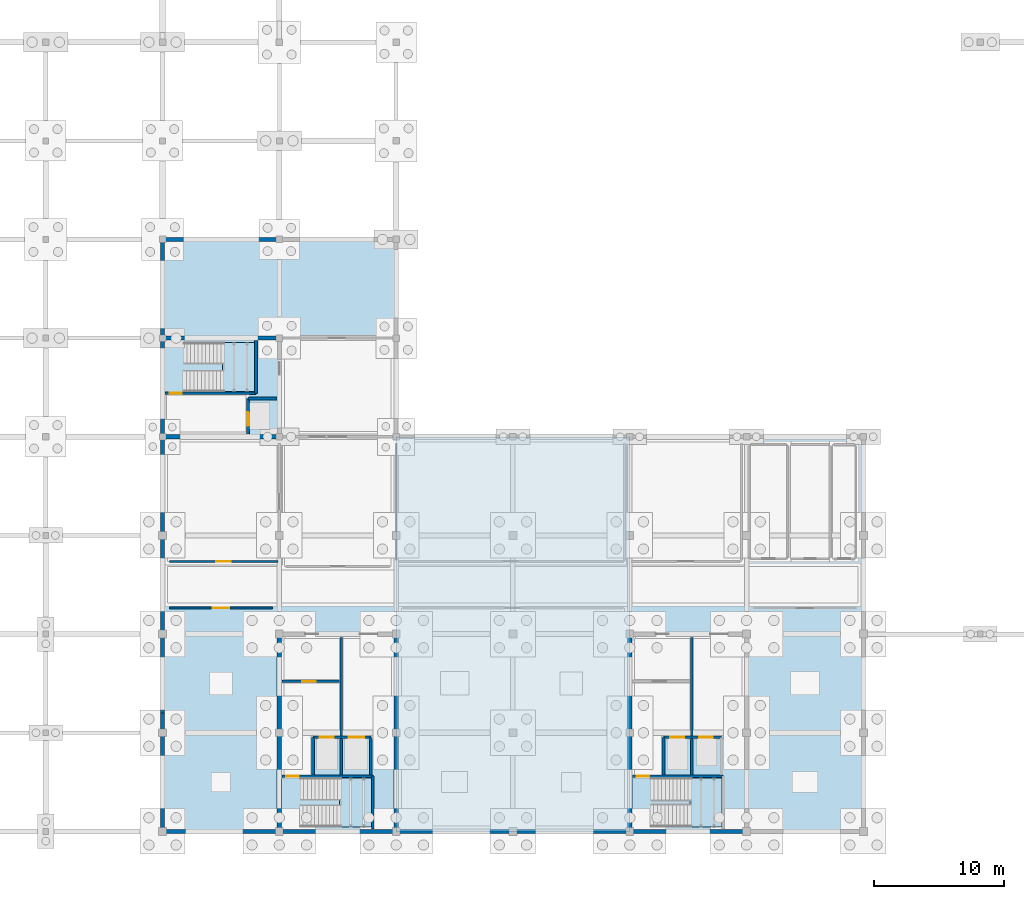
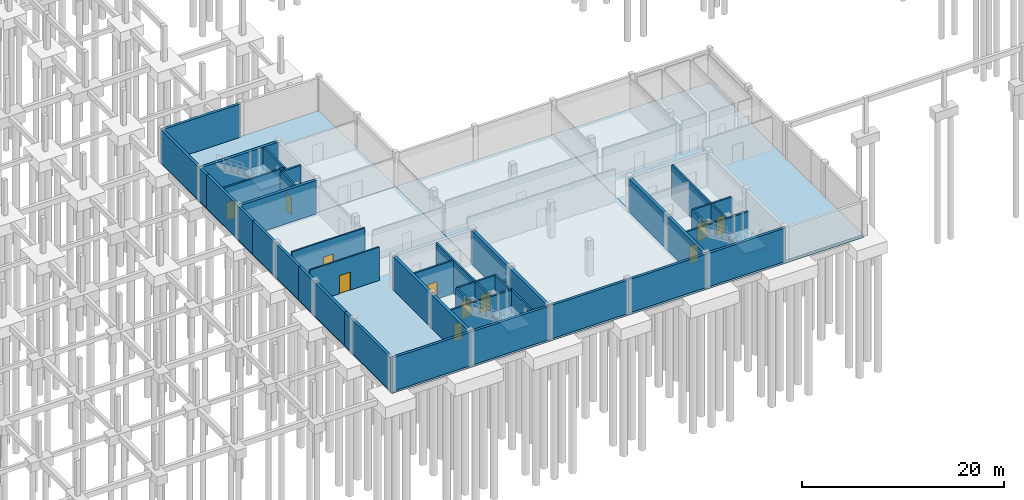
# One storey, part 23 of 28: 33 walls, 11 doors, 7 slabs, 11 openings, 3 elements without a shape of their own.
"""IFC4 building model written with IfcOpenShell, lengths in metres."""

from ifc_helpers import new_model, si_unit, direction, frame, frame_2d, origin, place, context, subcontext, project, spatial, polyline, rectangle, outline, extrude, material, layer, layer_set, type_object, element, fill, aggregate, save


model = new_model("IFC4")

# Units and contexts
model_context = context("Model", 3, precision=1e-05, world=origin(), true_north=direction((0.0, 1.0)))
body_context = subcontext(model_context, "Body", "Model", "MODEL_VIEW")
ifc_project = project(units=[si_unit("LENGTHUNIT", "METRE"), si_unit("AREAUNIT", "SQUARE_METRE"), si_unit("VOLUMEUNIT", "CUBIC_METRE"), si_unit("PLANEANGLEUNIT", "RADIAN"), si_unit("MASSUNIT", "GRAM", prefix="KILO")], contexts=[model_context])

# Site, building, storey
site_placement = place(None, origin())
site = spatial("IfcSite", under=ifc_project, at=site_placement, CompositionType="ELEMENT")
building_placement = place(site_placement, origin())
building = spatial("IfcBuilding", under=site, at=building_placement, Name="Caisbarro Railhouse Central Library", CompositionType="ELEMENT")
storey_placement = place(building_placement, frame((0.0, 0.0, -4.320068359375)))
storey = spatial("IfcBuildingStorey", under=building, at=storey_placement, Name="B01", CompositionType="ELEMENT", Elevation=-4.320068359375)

# Slabs
ifc_material_1 = material(Name="Concrete C35", Category="concrete")
ifc_layer_1 = layer(ifc_material_1, 0.300048828125, Name="Concrete C35")
ifc_layer_set_1 = layer_set([ifc_layer_1], Name="Concrete C35")
slab_type_1 = type_object("IfcSlabType", Name="SLB-BS30", PredefinedType="BASESLAB", material=ifc_layer_set_1)
slab_1_placement = place(storey_placement, frame((0.0, 0.0, -0.300048828125)))
element("IfcSlab", 1, at=slab_1_placement, inside=storey, type_object=slab_type_1, Name="SB30 structural slab B01 V1.1", PredefinedType="BASESLAB", context=body_context, shape_type="SweptSolid", body=[
    extrude(outline(polyline([(54.0, 30.39990234375), (72.0, 30.39990234375), (72.0, 45.60009765625), (54.0, 45.60009765625), (54.0, 30.39990234375)])), origin(), (0.0, 0.0, 1.0), 0.300048828125),
])
ifc_layer_2 = layer(ifc_material_1, 0.35009765625, Name="Concrete C35")
ifc_layer_set_2 = layer_set([ifc_layer_2], Name="Concrete C35")
slab_type_2 = type_object("IfcSlabType", Name="SLB-BS35", PredefinedType="BASESLAB", material=ifc_layer_set_2)
slab_2_placement = place(storey_placement, frame((0.0, 0.0, -0.349853515625)))
element("IfcSlab", 2, at=slab_2_placement, inside=storey, type_object=slab_type_2, Name="SB35 structural slab B01 V5.1", PredefinedType="BASESLAB", context=body_context, shape_type="SweptSolid", body=[
    extrude(outline(polyline([(54.0, 0.0), (72.0, 0.0), (72.0, 30.39990234375), (54.0, 30.39990234375), (54.0, 0.0)])), origin(), (0.0, 0.0, 1.0), 0.349853515625),
])
slab_3_placement = place(storey_placement, frame((0.0, 0.0, -0.349853515625)))
element("IfcSlab", 3, at=slab_3_placement, inside=storey, type_object=slab_type_2, Name="SB35 structural slab B01 V5.2", PredefinedType="BASESLAB", context=body_context, shape_type="SweptSolid", body=[
    extrude(outline(polyline([(72.0, 0.0), (90.0, 0.0), (90.0, 30.39990234375), (72.0, 30.39990234375), (72.0, 0.0)])), origin(), (0.0, 0.0, 1.0), 0.349853515625),
])
slab_4_placement = place(storey_placement, frame((0.0, 0.0, -0.349853515625)))
element("IfcSlab", 4, at=slab_4_placement, inside=storey, type_object=slab_type_2, Name="SB35 structural slab B01 V5.3", PredefinedType="BASESLAB", context=body_context, shape_type="SweptSolid", body=[
    extrude(outline(polyline([(90.0, 0.0), (108.0, 0.0), (108.0, 30.39990234375), (90.0, 30.39990234375), (90.0, 0.0)])), origin(), (0.0, 0.0, 1.0), 0.349853515625),
])

# Stair, slab
stair_type_1 = type_object("IfcStairType", Name="STR-ST43B", PredefinedType="HALF_TURN_STAIR", material=ifc_material_1)
stair_1_placement = place(storey_placement, origin())
stair_1 = element("IfcStair", 5, at=stair_1_placement, inside=storey, type_object=stair_type_1, Name="Protected Stair ST-01 (B01)", PredefinedType="HALF_TURN_STAIR")
ifc_layer_3 = layer(ifc_material_1, 0.18994140625, Name="Concrete C35")
ifc_layer_set_3 = layer_set([ifc_layer_3], Name="Concrete C35")
slab_type_3 = type_object("IfcSlabType", Name="SLB-LND19", PredefinedType="LANDING", material=ifc_layer_set_3)
slab_5_placement = place(storey_placement, frame((0.0, 0.0, 1.969970703125)))
slab_5 = element("IfcSlab", 6, at=slab_5_placement, type_object=slab_type_3, Name="ST-01 landing 1", PredefinedType="LANDING", context=body_context, shape_type="SweptSolid", body=[
    extrude(outline(polyline([(67.6201171875, 0.340087890625), (70.1201171875, 0.340087890625), (70.1201171875, 4.110107421875), (67.6201171875, 4.110107421875), (67.6201171875, 0.340087890625)])), origin(), (0.0, 0.0, 1.0), 0.190185546875),
])
aggregate(stair_1, [slab_5])

stair_type_2 = type_object("IfcStairType", Name="STR-ST43C", PredefinedType="HALF_TURN_STAIR", material=ifc_material_1)
stair_2_placement = place(storey_placement, origin())
stair_2 = element("IfcStair", 7, at=stair_2_placement, inside=storey, type_object=stair_type_2, Name="Protected Stair ST-02 (B01)", PredefinedType="HALF_TURN_STAIR")
slab_6_placement = place(storey_placement, frame((0.0, 0.0, 1.969970703125)))
slab_6 = element("IfcSlab", 8, at=slab_6_placement, type_object=slab_type_3, Name="ST-02 landing 1", PredefinedType="LANDING", context=body_context, shape_type="SweptSolid", body=[
    extrude(outline(polyline([(94.6201171875, 0.340087890625), (97.1201171875, 0.340087890625), (97.1201171875, 4.110107421875), (94.6201171875, 4.110107421875), (94.6201171875, 0.340087890625)])), origin(), (0.0, 0.0, 1.0), 0.190185546875),
])
aggregate(stair_2, [slab_6])

stair_type_3 = type_object("IfcStairType", Name="STR-ST43A", PredefinedType="HALF_TURN_STAIR", material=ifc_material_1)
stair_3_placement = place(storey_placement, origin())
stair_3 = element("IfcStair", 9, at=stair_3_placement, inside=storey, type_object=stair_type_3, Name="Protected Stair ST-04 (B01)", PredefinedType="HALF_TURN_STAIR")
slab_7_placement = place(storey_placement, frame((0.0, 0.0, 1.969970703125)))
slab_7 = element("IfcSlab", 10, at=slab_7_placement, type_object=slab_type_3, Name="ST-04 landing 1", PredefinedType="LANDING", context=body_context, shape_type="SweptSolid", body=[
    extrude(outline(polyline([(58.6201171875, 33.889892578125), (61.1201171875, 33.889892578125), (61.1201171875, 37.659912109375), (58.6201171875, 37.659912109375), (58.6201171875, 33.889892578125)])), origin(), (0.0, 0.0, 1.0), 0.190185546875),
])
aggregate(stair_3, [slab_7])

# Walls
ifc_material_2 = material(Name="Concrete C40", Category="concrete")
ifc_layer_4 = layer(ifc_material_2, 0.320068359375, Name="Concrete C40")
ifc_layer_set_4 = layer_set([ifc_layer_4], Name="Concrete C40")
wall_type_1 = type_object("IfcWallType", Name="WAL-CW32", PredefinedType="SHEAR", material=ifc_layer_set_4)
for number, where, z_axis, x_axis, name in (
    (11, (54.159912109375, 30.39990234375, 0.0), (0.0, 0.0, 1.0), (1.0, 0.0, 0.0), "CW32 RC core shear wall B01 #55"),
    (12, (54.159912109375, 38.0, 0.0), (0.0, 0.0, 1.0), (1.0, 0.0, 0.0), "CW32 RC core shear wall B01 #56"),
):
    element("IfcWall", number, at=place(storey_placement, frame(where, z_axis=z_axis, x_axis=x_axis)), inside=storey, type_object=wall_type_1, Name=name, PredefinedType="SHEAR", context=body_context, shape_type="SweptSolid", body=[
        extrude(rectangle(XDim=8.68017578125, YDim=0.320068359375, at=frame_2d((4.340087890625, 0.0))), origin(), (0.0, 0.0, 1.0), 4.0400390625),
    ])
ifc_layer_5 = layer(ifc_material_2, 0.35009765625, Name="Concrete C40")
ifc_layer_set_5 = layer_set([ifc_layer_5], Name="Concrete C40")
wall_type_2 = type_object("IfcWallType", Name="WAL-CW35", PredefinedType="SHEAR", material=ifc_layer_set_5)
for number, where, z_axis, x_axis, name in (
    (13, (63.0, 0.159912109375, 0.0), (0.0, 0.0, 1.0), (0.0, 1.0, 0.0), "CW35 RC core shear wall B01 #2"),
    (14, (72.0, 0.159912109375, 0.0), (0.0, 0.0, 1.0), (0.0, 1.0, 0.0), "CW35 RC core shear wall B01 #3"),
    (15, (90.0, 0.159912109375, 0.0), (0.0, 0.0, 1.0), (0.0, 1.0, 0.0), "CW35 RC core shear wall B01 #21"),
):
    element("IfcWall", number, at=place(storey_placement, frame(where, z_axis=z_axis, x_axis=x_axis)), inside=storey, type_object=wall_type_2, Name=name, PredefinedType="SHEAR", context=body_context, shape_type="SweptSolid", body=[
        extrude(rectangle(XDim=14.880126953125, YDim=0.35009765625, at=frame_2d((7.43994140625, 0.0))), origin(), (0.0, 0.0, 1.0), 4.0400390625),
    ])
ifc_layer_6 = layer(ifc_material_2, 0.300048828125, Name="Concrete C40")
ifc_layer_set_6 = layer_set([ifc_layer_6], Name="Concrete C40")
wall_type_3 = type_object("IfcWallType", Name="WAL-EW30", PredefinedType="SOLIDWALL", material=ifc_layer_set_6)
for number, where, z_axis, x_axis, name in (
    (16, (54.0, 0.0, 0.0), (0.0, 0.0, 1.0), (1.0, 0.0, 0.0), "EW30 exterior wall B01 #1"),
    (17, (63.0, 0.0, 0.0), (0.0, 0.0, 1.0), (1.0, 0.0, 0.0), "EW30 exterior wall B01 #2"),
    (18, (72.0, 0.0, 0.0), (0.0, 0.0, 1.0), (1.0, 0.0, 0.0), "EW30 exterior wall B01 #3"),
    (19, (81.0, 0.0, 0.0), (0.0, 0.0, 1.0), (1.0, 0.0, 0.0), "EW30 exterior wall B01 #4"),
    (20, (90.0, 0.0, 0.0), (0.0, 0.0, 1.0), (1.0, 0.0, 0.0), "EW30 exterior wall B01 #5"),
    (21, (63.0, 45.60009765625, 0.0), (0.0, 0.0, 1.0), (-1.0, 0.0, 0.0), "EW30 exterior wall B01 #17"),
):
    element("IfcWall", number, at=place(storey_placement, frame(where, z_axis=z_axis, x_axis=x_axis)), inside=storey, type_object=wall_type_3, Name=name, PredefinedType="SOLIDWALL", context=body_context, shape_type="SweptSolid", body=[
        extrude(rectangle(XDim=9.0, YDim=0.300048828125, at=frame_2d((4.5, 0.0))), origin(), (0.0, 0.0, 1.0), 4.0400390625),
    ])
wall_1_placement = place(storey_placement, frame((54.0, 45.60009765625, 0.0), z_axis=(0.0, 0.0, 1.0), x_axis=(0.0, -1.0, 0.0)))
element("IfcWall", 22, at=wall_1_placement, inside=storey, type_object=wall_type_3, Name="EW30 exterior wall B01 #18", PredefinedType="SOLIDWALL", context=body_context, shape_type="SweptSolid", body=[
    extrude(rectangle(XDim=9.1201171875, YDim=0.300048828125, at=frame_2d((4.56005859375, 0.0))), origin(), (0.0, 0.0, 1.0), 4.0400390625),
])
wall_2_placement = place(storey_placement, frame((54.0, 36.47998046875, 0.0), z_axis=(0.0, 0.0, 1.0), x_axis=(0.0, -1.0, 0.0)))
element("IfcWall", 23, at=wall_2_placement, inside=storey, type_object=wall_type_3, Name="EW30 exterior wall B01 #19", PredefinedType="SOLIDWALL", context=body_context, shape_type="SweptSolid", body=[
    extrude(rectangle(XDim=9.119873046875, YDim=0.300048828125, at=frame_2d((4.56005859375, 0.0))), origin(), (0.0, 0.0, 1.0), 4.0400390625),
])
wall_3_placement = place(storey_placement, frame((54.0, 27.360107421875, 0.0), z_axis=(0.0, 0.0, 1.0), x_axis=(0.0, -1.0, 0.0)))
element("IfcWall", 24, at=wall_3_placement, inside=storey, type_object=wall_type_3, Name="EW30 exterior wall B01 #20", PredefinedType="SOLIDWALL", context=body_context, shape_type="SweptSolid", body=[
    extrude(rectangle(XDim=9.1201171875, YDim=0.300048828125, at=frame_2d((4.56005859375, 0.0))), origin(), (0.0, 0.0, 1.0), 4.0400390625),
])
wall_4_placement = place(storey_placement, frame((54.0, 18.239990234375, 0.0), z_axis=(0.0, 0.0, 1.0), x_axis=(0.0, -1.0, 0.0)))
element("IfcWall", 25, at=wall_4_placement, inside=storey, type_object=wall_type_3, Name="EW30 exterior wall B01 #21", PredefinedType="SOLIDWALL", context=body_context, shape_type="SweptSolid", body=[
    extrude(rectangle(XDim=9.119873046875, YDim=0.300048828125, at=frame_2d((4.56005859375, 0.0))), origin(), (0.0, 0.0, 1.0), 4.0400390625),
])
wall_5_placement = place(storey_placement, frame((54.0, 9.1201171875, 0.0), z_axis=(0.0, 0.0, 1.0), x_axis=(0.0, -1.0, 0.0)))
element("IfcWall", 26, at=wall_5_placement, inside=storey, type_object=wall_type_3, Name="EW30 exterior wall B01 #22", PredefinedType="SOLIDWALL", context=body_context, shape_type="SweptSolid", body=[
    extrude(rectangle(XDim=9.1201171875, YDim=0.300048828125, at=frame_2d((4.56005859375, 0.0))), origin(), (0.0, 0.0, 1.0), 4.0400390625),
])

# Wall, opening, door
ifc_material_3 = material(Name="Plastered cellular concrete masonry", Category="masonry")
ifc_layer_7 = layer(ifc_material_3, 0.169921875, Name="Plastered cellular concrete masonry")
ifc_layer_set_7 = layer_set([ifc_layer_7], Name="Plastered cellular concrete masonry")
wall_type_4 = type_object("IfcWallType", Name="WAL-IW17", PredefinedType="PARTITIONING", material=ifc_layer_set_7)
wall_6_placement = place(storey_placement, frame((54.52001953125, 17.199951171875, 0.0), z_axis=(0.0, 0.0, 1.0), x_axis=(1.0, 0.0, 0.0)))
wall_6 = element("IfcWall", 27, at=wall_6_placement, inside=storey, type_object=wall_type_4, Name="IW17 partition wall B01 #237", PredefinedType="PARTITIONING", context=body_context, shape_type="SweptSolid", body=[
    extrude(rectangle(XDim=7.9599609375, YDim=0.169921875, at=frame_2d((3.97998046875, 0.0))), origin(), (0.0, 0.0, 1.0), 4.0400390625),
])
opening_1_placement = place(wall_6_placement, frame((3.35498046875, 0.0, 0.0)))
opening_1 = element("IfcOpeningElement", 28, at=opening_1_placement, cuts=wall_6, Name="Opening FD04", PredefinedType="OPENING", context=body_context, shape_type="SweptSolid", body=[
    extrude(rectangle(XDim=1.25, YDim=2.179931640625, at=frame_2d((0.625, 1.08984375))), frame((0.0, 0.094970703125, 0.0), z_axis=(0.0, -1.0, 0.0), x_axis=(1.0, 0.0, 0.0)), (0.0, 0.0, 1.0), 0.18994140625),
])
ifc_material_4 = material(Name="Fire-rated painted galvanised steel", Category="steel")
door_type_1 = type_object("IfcDoorType", Name="DR-FD04", OperationType="NOTDEFINED", PredefinedType="DOOR", material=ifc_material_4)
door_1_placement = place(opening_1_placement, origin())
door_1 = element("IfcDoor", 29, at=door_1_placement, inside=storey, type_object=door_type_1, Name="Chiller and Pump Plant Room Door FD04 B01-161", OperationType="SINGLE_SWING_LEFT", OverallHeight=2.179931640625, OverallWidth=1.25, PredefinedType="DOOR", context=body_context, shape_type="SweptSolid", body=[
    extrude(rectangle(XDim=1.25, YDim=2.179931640625, at=frame_2d((0.625, 1.08984375))), frame((0.0, 0.02490234375, 0.0), z_axis=(0.0, -1.0, 0.0), x_axis=(1.0, 0.0, 0.0)), (0.0, 0.0, 1.0), 0.050048828125),
])
fill(opening_1, door_1)

wall_7_placement = place(storey_placement, frame((54.52001953125, 20.800048828125, 0.0), z_axis=(0.0, 0.0, 1.0), x_axis=(1.0, 0.0, 0.0)))
wall_7 = element("IfcWall", 30, at=wall_7_placement, inside=storey, type_object=wall_type_4, Name="IW17 partition wall B01 #241", PredefinedType="PARTITIONING", context=body_context, shape_type="SweptSolid", body=[
    extrude(rectangle(XDim=8.35986328125, YDim=0.169921875, at=frame_2d((4.179931640625, 0.0))), origin(), (0.0, 0.0, 1.0), 4.0400390625),
])
opening_2_placement = place(wall_7_placement, frame((3.60498046875, 0.0, 0.0)))
opening_2 = element("IfcOpeningElement", 31, at=opening_2_placement, cuts=wall_7, Name="Opening FD03", PredefinedType="OPENING", context=body_context, shape_type="SweptSolid", body=[
    extrude(rectangle(XDim=1.14990234375, YDim=2.14990234375, at=frame_2d((0.574951171875, 1.074951171875))), frame((0.0, 0.094970703125, 0.0), z_axis=(0.0, -1.0, 0.0), x_axis=(1.0, 0.0, 0.0)), (0.0, 0.0, 1.0), 0.18994140625),
])
door_type_2 = type_object("IfcDoorType", Name="DR-FD03", OperationType="NOTDEFINED", PredefinedType="DOOR", material=ifc_material_4)
door_2_placement = place(opening_2_placement, origin())
door_2 = element("IfcDoor", 32, at=door_2_placement, inside=storey, type_object=door_type_2, Name="Archive Service Corridor Door FD03 B01-170", OperationType="SINGLE_SWING_RIGHT", OverallHeight=2.14990234375, OverallWidth=1.14990234375, PredefinedType="DOOR", context=body_context, shape_type="SweptSolid", body=[
    extrude(rectangle(XDim=1.14990234375, YDim=2.14990234375, at=frame_2d((0.574951171875, 1.074951171875))), frame((0.0, 0.02490234375, 0.0), z_axis=(0.0, -1.0, 0.0), x_axis=(1.0, 0.0, 0.0)), (0.0, 0.0, 1.0), 0.050048828125),
])
fill(opening_2, door_2)

ifc_layer_8 = layer(ifc_material_3, 0.18994140625, Name="Plastered cellular concrete masonry")
ifc_layer_set_8 = layer_set([ifc_layer_8], Name="Plastered cellular concrete masonry")
wall_type_5 = type_object("IfcWallType", Name="WAL-SW19", PredefinedType="SOLIDWALL", material=ifc_layer_set_8)
wall_8_placement = place(storey_placement, frame((63.199951171875, 11.550048828125, 0.0), z_axis=(0.0, 0.0, 1.0), x_axis=(1.0, 0.0, 0.0)))
wall_8 = element("IfcWall", 33, at=wall_8_placement, inside=storey, type_object=wall_type_5, Name="SW19 partition wall B01 #7", PredefinedType="SOLIDWALL", context=body_context, shape_type="SweptSolid", body=[
    extrude(rectangle(XDim=4.449951171875, YDim=0.18994140625, at=frame_2d((2.22509765625, 0.0))), origin(), (0.0, 0.0, 1.0), 4.0400390625),
])
opening_3_placement = place(wall_8_placement, frame((1.550048828125, 0.0, 0.0)))
opening_3 = element("IfcOpeningElement", 34, at=opening_3_placement, cuts=wall_8, Name="Opening FD02", PredefinedType="OPENING", context=body_context, shape_type="SweptSolid", body=[
    extrude(rectangle(XDim=1.050048828125, YDim=2.1201171875, at=frame_2d((0.52490234375, 1.06005859375))), frame((0.0, 0.10498046875, 0.0), z_axis=(0.0, -1.0, 0.0), x_axis=(1.0, 0.0, 0.0)), (0.0, 0.0, 1.0), 0.2099609375),
])
door_type_3 = type_object("IfcDoorType", Name="DR-FD02", OperationType="NOTDEFINED", PredefinedType="DOOR", material=ifc_material_4)
door_3_placement = place(opening_3_placement, origin())
door_3 = element("IfcDoor", 35, at=door_3_placement, inside=storey, type_object=door_type_3, Name="Firefighting Lobby K1 Door FD02 B01-004", OperationType="SINGLE_SWING_RIGHT", OverallHeight=2.1201171875, OverallWidth=1.050048828125, PredefinedType="DOOR", context=body_context, shape_type="SweptSolid", body=[
    extrude(rectangle(XDim=1.050048828125, YDim=2.1201171875, at=frame_2d((0.52490234375, 1.06005859375))), frame((0.0, 0.02490234375, 0.0), z_axis=(0.0, -1.0, 0.0), x_axis=(1.0, 0.0, 0.0)), (0.0, 0.0, 1.0), 0.050048828125),
])
fill(opening_3, door_3)

ifc_layer_9 = layer(ifc_material_2, 0.2099609375, Name="Concrete C40")
ifc_layer_set_9 = layer_set([ifc_layer_9], Name="Concrete C40")
wall_type_6 = type_object("IfcWallType", Name="WAL-SW21", PredefinedType="SOLIDWALL", material=ifc_layer_set_9)
wall_9_placement = place(storey_placement, frame((63.199951171875, 4.25, 0.0), z_axis=(0.0, 0.0, 1.0), x_axis=(1.0, 0.0, 0.0)))
wall_9 = element("IfcWall", 36, at=wall_9_placement, inside=storey, type_object=wall_type_6, Name="SW21 core shaft wall B01 #1", PredefinedType="SOLIDWALL", context=body_context, shape_type="SweptSolid", body=[
    extrude(rectangle(XDim=7.0, YDim=0.2099609375, at=frame_2d((3.5, 0.0))), origin(), (0.0, 0.0, 1.0), 4.0400390625),
])
opening_4_placement = place(wall_9_placement, frame((0.35009765625, 0.0, 0.0)))
opening_4 = element("IfcOpeningElement", 37, at=opening_4_placement, cuts=wall_9, Name="Opening FD01", PredefinedType="OPENING", context=body_context, shape_type="SweptSolid", body=[
    extrude(rectangle(XDim=0.949951171875, YDim=2.1201171875, at=frame_2d((0.47509765625, 1.06005859375))), frame((0.0, 0.114990234375, 0.0), z_axis=(0.0, -1.0, 0.0), x_axis=(1.0, 0.0, 0.0)), (0.0, 0.0, 1.0), 0.22998046875),
])
door_type_4 = type_object("IfcDoorType", Name="DR-FD01", OperationType="NOTDEFINED", PredefinedType="DOOR", material=ifc_material_4)
door_4_placement = place(opening_4_placement, origin())
door_4 = element("IfcDoor", 38, at=door_4_placement, inside=storey, type_object=door_type_4, Name="Stair ST-01 Fire Door FD01 B01-001", OperationType="SINGLE_SWING_LEFT", OverallHeight=2.1201171875, OverallWidth=0.949951171875, PredefinedType="DOOR", context=body_context, shape_type="SweptSolid", body=[
    extrude(rectangle(XDim=0.949951171875, YDim=2.1201171875, at=frame_2d((0.47509765625, 1.06005859375))), frame((0.0, 0.02490234375, 0.0), z_axis=(0.0, -1.0, 0.0), x_axis=(1.0, 0.0, 0.0)), (0.0, 0.0, 1.0), 0.050048828125),
])
fill(opening_4, door_4)

# Walls
wall_10_placement = place(storey_placement, frame((70.199951171875, 0.199951171875, 0.0), z_axis=(0.0, 0.0, 1.0), x_axis=(0.0, 1.0, 0.0)))
element("IfcWall", 39, at=wall_10_placement, inside=storey, type_object=wall_type_6, Name="SW21 core shaft wall B01 #2", PredefinedType="SOLIDWALL", context=body_context, shape_type="SweptSolid", body=[
    extrude(rectangle(XDim=4.050048828125, YDim=0.2099609375, at=frame_2d((2.02490234375, 0.0))), origin(), (0.0, 0.0, 1.0), 4.0400390625),
])
wall_11_placement = place(storey_placement, frame((65.60009765625, 4.35009765625, 0.0), z_axis=(0.0, 0.0, 1.0), x_axis=(0.0, 1.0, 0.0)))
element("IfcWall", 40, at=wall_11_placement, inside=storey, type_object=wall_type_6, Name="SW21 core shaft wall B01 #3", PredefinedType="SOLIDWALL", context=body_context, shape_type="SweptSolid", body=[
    extrude(rectangle(XDim=2.89990234375, YDim=0.2099609375, at=frame_2d((1.449951171875, 0.0))), origin(), (0.0, 0.0, 1.0), 4.0400390625),
])
wall_12_placement = place(storey_placement, frame((67.77001953125, 4.35009765625, 0.0), z_axis=(0.0, 0.0, 1.0), x_axis=(0.0, 1.0, 0.0)))
element("IfcWall", 41, at=wall_12_placement, inside=storey, type_object=wall_type_6, Name="SW21 core shaft wall B01 #4", PredefinedType="SOLIDWALL", context=body_context, shape_type="SweptSolid", body=[
    extrude(rectangle(XDim=10.599853515625, YDim=0.2099609375, at=frame_2d((5.2998046875, 0.0))), origin(), (0.0, 0.0, 1.0), 4.0400390625),
])
wall_13_placement = place(storey_placement, frame((70.050048828125, 4.35009765625, 0.0), z_axis=(0.0, 0.0, 1.0), x_axis=(0.0, 1.0, 0.0)))
element("IfcWall", 42, at=wall_13_placement, inside=storey, type_object=wall_type_6, Name="SW21 core shaft wall B01 #5", PredefinedType="SOLIDWALL", context=body_context, shape_type="SweptSolid", body=[
    extrude(rectangle(XDim=2.89990234375, YDim=0.2099609375, at=frame_2d((1.449951171875, 0.0))), origin(), (0.0, 0.0, 1.0), 4.0400390625),
])

# Wall, openings, doors
wall_14_placement = place(storey_placement, frame((65.60009765625, 7.25, 0.0), z_axis=(0.0, 0.0, 1.0), x_axis=(1.0, 0.0, 0.0)))
wall_14 = element("IfcWall", 43, at=wall_14_placement, inside=storey, type_object=wall_type_6, Name="SW21 core shaft wall B01 #6", PredefinedType="SOLIDWALL", context=body_context, shape_type="SweptSolid", body=[
    extrude(rectangle(XDim=4.449951171875, YDim=0.2099609375, at=frame_2d((2.22509765625, 0.0))), origin(), (0.0, 0.0, 1.0), 4.0400390625),
])
opening_5_placement = place(wall_14_placement, frame((0.5, 0.0, 0.0)))
opening_5 = element("IfcOpeningElement", 44, at=opening_5_placement, cuts=wall_14, Name="Opening LD01", PredefinedType="OPENING", context=body_context, shape_type="SweptSolid", body=[
    extrude(rectangle(XDim=1.10009765625, YDim=2.139892578125, at=frame_2d((0.550048828125, 1.06982421875))), frame((0.0, 0.114990234375, 0.0), z_axis=(0.0, -1.0, 0.0), x_axis=(1.0, 0.0, 0.0)), (0.0, 0.0, 1.0), 0.22998046875),
])
opening_6_placement = place(wall_14_placement, frame((2.75, 0.0, 0.0)))
opening_6 = element("IfcOpeningElement", 45, at=opening_6_placement, cuts=wall_14, Name="Opening LD03", PredefinedType="OPENING", context=body_context, shape_type="SweptSolid", body=[
    extrude(rectangle(XDim=1.199951171875, YDim=2.179931640625, at=frame_2d((0.60009765625, 1.08984375))), frame((0.0, 0.114990234375, 0.0), z_axis=(0.0, -1.0, 0.0), x_axis=(1.0, 0.0, 0.0)), (0.0, 0.0, 1.0), 0.22998046875),
])
ifc_material_5 = material(Name="Brushed stainless steel elevator cab", Category="steel")
door_type_5 = type_object("IfcDoorType", Name="DR-LD01", OperationType="NOTDEFINED", PredefinedType="DOOR", material=ifc_material_5)
door_5_placement = place(opening_5_placement, origin())
door_5 = element("IfcDoor", 46, at=door_5_placement, inside=storey, type_object=door_type_5, Name="Lift FL-01 Landing Door LD01 B01-002", OperationType="SLIDING_TO_LEFT", OverallHeight=2.139892578125, OverallWidth=1.10009765625, PredefinedType="DOOR", context=body_context, shape_type="SweptSolid", body=[
    extrude(rectangle(XDim=1.10009765625, YDim=2.139892578125, at=frame_2d((0.550048828125, 1.06982421875))), frame((0.0, 0.02490234375, 0.0), z_axis=(0.0, -1.0, 0.0), x_axis=(1.0, 0.0, 0.0)), (0.0, 0.0, 1.0), 0.050048828125),
])
fill(opening_5, door_5)
door_type_6 = type_object("IfcDoorType", Name="DR-LD03", OperationType="NOTDEFINED", PredefinedType="DOOR", material=ifc_material_5)
door_6_placement = place(opening_6_placement, origin())
door_6 = element("IfcDoor", 47, at=door_6_placement, inside=storey, type_object=door_type_6, Name="Lift BL-01 Landing Door LD03 B01-003", OperationType="SLIDING_TO_LEFT", OverallHeight=2.179931640625, OverallWidth=1.199951171875, PredefinedType="DOOR", context=body_context, shape_type="SweptSolid", body=[
    extrude(rectangle(XDim=1.199951171875, YDim=2.179931640625, at=frame_2d((0.60009765625, 1.08984375))), frame((0.0, 0.02490234375, 0.0), z_axis=(0.0, -1.0, 0.0), x_axis=(1.0, 0.0, 0.0)), (0.0, 0.0, 1.0), 0.050048828125),
])
fill(opening_6, door_6)

# Wall, opening, door
wall_15_placement = place(storey_placement, frame((90.199951171875, 4.25, 0.0), z_axis=(0.0, 0.0, 1.0), x_axis=(1.0, 0.0, 0.0)))
wall_15 = element("IfcWall", 48, at=wall_15_placement, inside=storey, type_object=wall_type_6, Name="SW21 core shaft wall B01 #50", PredefinedType="SOLIDWALL", context=body_context, shape_type="SweptSolid", body=[
    extrude(rectangle(XDim=7.0, YDim=0.2099609375, at=frame_2d((3.5, 0.0))), origin(), (0.0, 0.0, 1.0), 4.0400390625),
])
opening_7_placement = place(wall_15_placement, frame((0.35009765625, 0.0, 0.0)))
opening_7 = element("IfcOpeningElement", 49, at=opening_7_placement, cuts=wall_15, Name="Opening FD01", PredefinedType="OPENING", context=body_context, shape_type="SweptSolid", body=[
    extrude(rectangle(XDim=0.949951171875, YDim=2.1201171875, at=frame_2d((0.47509765625, 1.06005859375))), frame((0.0, 0.114990234375, 0.0), z_axis=(0.0, -1.0, 0.0), x_axis=(1.0, 0.0, 0.0)), (0.0, 0.0, 1.0), 0.22998046875),
])
door_7_placement = place(opening_7_placement, origin())
door_7 = element("IfcDoor", 50, at=door_7_placement, inside=storey, type_object=door_type_4, Name="Stair ST-02 Fire Door FD01 B01-043", OperationType="SINGLE_SWING_LEFT", OverallHeight=2.1201171875, OverallWidth=0.949951171875, PredefinedType="DOOR", context=body_context, shape_type="SweptSolid", body=[
    extrude(rectangle(XDim=0.949951171875, YDim=2.1201171875, at=frame_2d((0.47509765625, 1.06005859375))), frame((0.0, 0.02490234375, 0.0), z_axis=(0.0, -1.0, 0.0), x_axis=(1.0, 0.0, 0.0)), (0.0, 0.0, 1.0), 0.050048828125),
])
fill(opening_7, door_7)

# Walls
wall_16_placement = place(storey_placement, frame((92.60009765625, 4.35009765625, 0.0), z_axis=(0.0, 0.0, 1.0), x_axis=(0.0, 1.0, 0.0)))
element("IfcWall", 51, at=wall_16_placement, inside=storey, type_object=wall_type_6, Name="SW21 core shaft wall B01 #52", PredefinedType="SOLIDWALL", context=body_context, shape_type="SweptSolid", body=[
    extrude(rectangle(XDim=2.89990234375, YDim=0.2099609375, at=frame_2d((1.449951171875, 0.0))), origin(), (0.0, 0.0, 1.0), 4.0400390625),
])
wall_17_placement = place(storey_placement, frame((94.77001953125, 4.35009765625, 0.0), z_axis=(0.0, 0.0, 1.0), x_axis=(0.0, 1.0, 0.0)))
element("IfcWall", 52, at=wall_17_placement, inside=storey, type_object=wall_type_6, Name="SW21 core shaft wall B01 #53", PredefinedType="SOLIDWALL", context=body_context, shape_type="SweptSolid", body=[
    extrude(rectangle(XDim=10.599853515625, YDim=0.2099609375, at=frame_2d((5.2998046875, 0.0))), origin(), (0.0, 0.0, 1.0), 4.0400390625),
])

# Wall, openings, doors
wall_18_placement = place(storey_placement, frame((92.60009765625, 7.25, 0.0), z_axis=(0.0, 0.0, 1.0), x_axis=(1.0, 0.0, 0.0)))
wall_18 = element("IfcWall", 53, at=wall_18_placement, inside=storey, type_object=wall_type_6, Name="SW21 core shaft wall B01 #55", PredefinedType="SOLIDWALL", context=body_context, shape_type="SweptSolid", body=[
    extrude(rectangle(XDim=4.449951171875, YDim=0.2099609375, at=frame_2d((2.22509765625, 0.0))), origin(), (0.0, 0.0, 1.0), 4.0400390625),
])
opening_8_placement = place(wall_18_placement, frame((0.5, 0.0, 0.0)))
opening_8 = element("IfcOpeningElement", 54, at=opening_8_placement, cuts=wall_18, Name="Opening LD01", PredefinedType="OPENING", context=body_context, shape_type="SweptSolid", body=[
    extrude(rectangle(XDim=1.10009765625, YDim=2.139892578125, at=frame_2d((0.550048828125, 1.06982421875))), frame((0.0, 0.114990234375, 0.0), z_axis=(0.0, -1.0, 0.0), x_axis=(1.0, 0.0, 0.0)), (0.0, 0.0, 1.0), 0.22998046875),
])
opening_9_placement = place(wall_18_placement, frame((2.75, 0.0, 0.0)))
opening_9 = element("IfcOpeningElement", 55, at=opening_9_placement, cuts=wall_18, Name="Opening LD02", PredefinedType="OPENING", context=body_context, shape_type="SweptSolid", body=[
    extrude(rectangle(XDim=1.0400390625, YDim=2.10009765625, at=frame_2d((0.52001953125, 1.050048828125))), frame((0.0, 0.114990234375, 0.0), z_axis=(0.0, -1.0, 0.0), x_axis=(1.0, 0.0, 0.0)), (0.0, 0.0, 1.0), 0.22998046875),
])
door_8_placement = place(opening_8_placement, origin())
door_8 = element("IfcDoor", 56, at=door_8_placement, inside=storey, type_object=door_type_5, Name="Lift FL-02 Landing Door LD01 B01-044", OperationType="SLIDING_TO_LEFT", OverallHeight=2.139892578125, OverallWidth=1.10009765625, PredefinedType="DOOR", context=body_context, shape_type="SweptSolid", body=[
    extrude(rectangle(XDim=1.10009765625, YDim=2.139892578125, at=frame_2d((0.550048828125, 1.06982421875))), frame((0.0, 0.02490234375, 0.0), z_axis=(0.0, -1.0, 0.0), x_axis=(1.0, 0.0, 0.0)), (0.0, 0.0, 1.0), 0.050048828125),
])
fill(opening_8, door_8)
door_type_7 = type_object("IfcDoorType", Name="DR-LD02", OperationType="NOTDEFINED", PredefinedType="DOOR", material=ifc_material_5)
door_9_placement = place(opening_9_placement, origin())
door_9 = element("IfcDoor", 57, at=door_9_placement, inside=storey, type_object=door_type_7, Name="Lift PL-01 Landing Door LD02 B01-045", OperationType="SLIDING_TO_LEFT", OverallHeight=2.10009765625, OverallWidth=1.0400390625, PredefinedType="DOOR", context=body_context, shape_type="SweptSolid", body=[
    extrude(rectangle(XDim=1.0400390625, YDim=2.10009765625, at=frame_2d((0.52001953125, 1.050048828125))), frame((0.0, 0.02490234375, 0.0), z_axis=(0.0, -1.0, 0.0), x_axis=(1.0, 0.0, 0.0)), (0.0, 0.0, 1.0), 0.050048828125),
])
fill(opening_9, door_9)

# Wall, opening, door
wall_19_placement = place(storey_placement, frame((54.199951171875, 33.75, 0.0), z_axis=(0.0, 0.0, 1.0), x_axis=(1.0, 0.0, 0.0)))
wall_19 = element("IfcWall", 58, at=wall_19_placement, inside=storey, type_object=wall_type_6, Name="SW21 core shaft wall B01 #119", PredefinedType="SOLIDWALL", context=body_context, shape_type="SweptSolid", body=[
    extrude(rectangle(XDim=7.0, YDim=0.2099609375, at=frame_2d((3.5, 0.0))), origin(), (0.0, 0.0, 1.0), 4.0400390625),
])
opening_10_placement = place(wall_19_placement, frame((0.35009765625, 0.0, 0.0)))
opening_10 = element("IfcOpeningElement", 59, at=opening_10_placement, cuts=wall_19, Name="Opening FD01", PredefinedType="OPENING", context=body_context, shape_type="SweptSolid", body=[
    extrude(rectangle(XDim=0.949951171875, YDim=2.1201171875, at=frame_2d((0.47509765625, 1.06005859375))), frame((0.0, 0.114990234375, 0.0), z_axis=(0.0, -1.0, 0.0), x_axis=(1.0, 0.0, 0.0)), (0.0, 0.0, 1.0), 0.22998046875),
])
door_10_placement = place(opening_10_placement, origin())
door_10 = element("IfcDoor", 60, at=door_10_placement, inside=storey, type_object=door_type_4, Name="Stair ST-04 Fire Door FD01 B01-100", OperationType="SINGLE_SWING_LEFT", OverallHeight=2.1201171875, OverallWidth=0.949951171875, PredefinedType="DOOR", context=body_context, shape_type="SweptSolid", body=[
    extrude(rectangle(XDim=0.949951171875, YDim=2.1201171875, at=frame_2d((0.47509765625, 1.06005859375))), frame((0.0, 0.02490234375, 0.0), z_axis=(0.0, -1.0, 0.0), x_axis=(1.0, 0.0, 0.0)), (0.0, 0.0, 1.0), 0.050048828125),
])
fill(opening_10, door_10)

# Wall
wall_20_placement = place(storey_placement, frame((61.199951171875, 33.75, 0.0), z_axis=(0.0, 0.0, 1.0), x_axis=(0.0, 1.0, 0.0)))
element("IfcWall", 61, at=wall_20_placement, inside=storey, type_object=wall_type_6, Name="SW21 core shaft wall B01 #120", PredefinedType="SOLIDWALL", context=body_context, shape_type="SweptSolid", body=[
    extrude(rectangle(XDim=4.050048828125, YDim=0.2099609375, at=frame_2d((2.02490234375, 0.0))), origin(), (0.0, 0.0, 1.0), 4.0400390625),
])

# Wall, opening, door
wall_21_placement = place(storey_placement, frame((60.580078125, 30.60009765625, 0.0), z_axis=(0.0, 0.0, 1.0), x_axis=(0.0, 1.0, 0.0)))
wall_21 = element("IfcWall", 62, at=wall_21_placement, inside=storey, type_object=wall_type_6, Name="SW21 core shaft wall B01 #121", PredefinedType="SOLIDWALL", context=body_context, shape_type="SweptSolid", body=[
    extrude(rectangle(XDim=2.75, YDim=0.2099609375, at=frame_2d((1.375, 0.0))), origin(), (0.0, 0.0, 1.0), 4.0400390625),
])
opening_11_placement = place(wall_21_placement, frame((0.64990234375, 0.0, 0.0)))
opening_11 = element("IfcOpeningElement", 63, at=opening_11_placement, cuts=wall_21, Name="Opening LD02", PredefinedType="OPENING", context=body_context, shape_type="SweptSolid", body=[
    extrude(rectangle(XDim=1.0400390625, YDim=2.10009765625, at=frame_2d((0.52001953125, 1.050048828125))), frame((0.0, 0.114990234375, 0.0), z_axis=(0.0, -1.0, 0.0), x_axis=(1.0, 0.0, 0.0)), (0.0, 0.0, 1.0), 0.22998046875),
])
door_11_placement = place(opening_11_placement, origin())
door_11 = element("IfcDoor", 64, at=door_11_placement, inside=storey, type_object=door_type_7, Name="Lift PL-03 Landing Door LD02 B01-101", OperationType="SLIDING_TO_LEFT", OverallHeight=2.10009765625, OverallWidth=1.0400390625, PredefinedType="DOOR", context=body_context, shape_type="SweptSolid", body=[
    extrude(rectangle(XDim=1.0400390625, YDim=2.10009765625, at=frame_2d((0.52001953125, 1.050048828125))), frame((0.0, 0.02490234375, 0.0), z_axis=(0.0, -1.0, 0.0), x_axis=(1.0, 0.0, 0.0)), (0.0, 0.0, 1.0), 0.050048828125),
])
fill(opening_11, door_11)

# Wall
wall_22_placement = place(storey_placement, frame((60.580078125, 33.35009765625, 0.0), z_axis=(0.0, 0.0, 1.0), x_axis=(1.0, 0.0, 0.0)))
element("IfcWall", 65, at=wall_22_placement, inside=storey, type_object=wall_type_6, Name="SW21 core shaft wall B01 #122", PredefinedType="SOLIDWALL", context=body_context, shape_type="SweptSolid", body=[
    extrude(rectangle(XDim=2.239990234375, YDim=0.2099609375, at=frame_2d((1.1201171875, 0.0))), origin(), (0.0, 0.0, 1.0), 4.0400390625),
])

save(model, "model.ifc")
